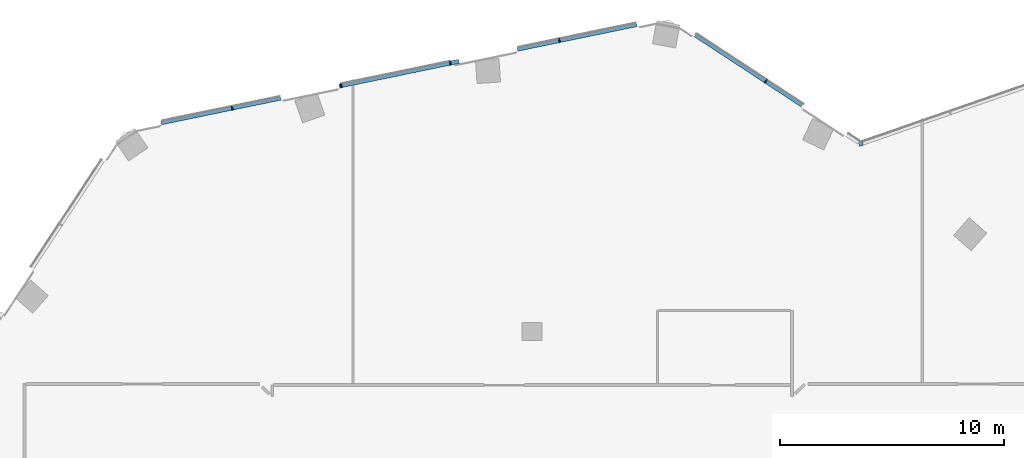
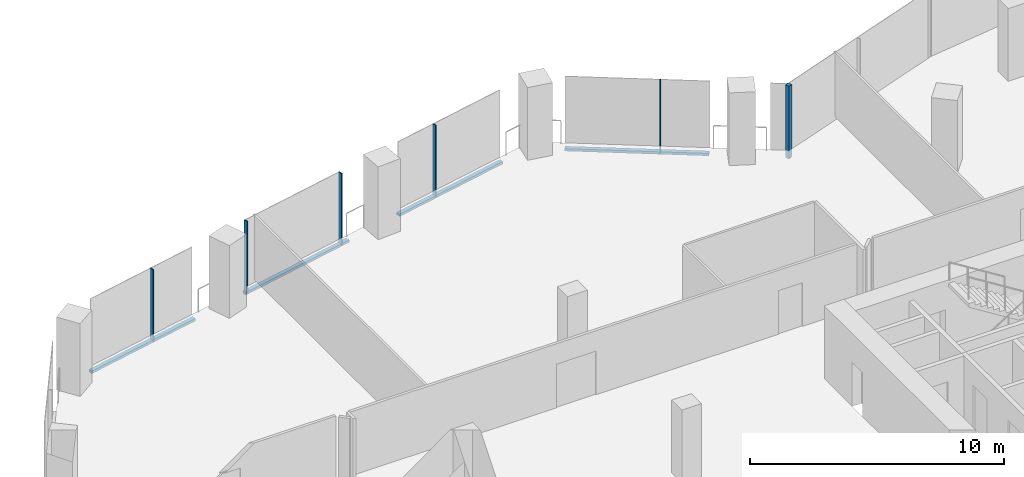
# One storey, part 9 of 26: 10 members, 3 elements without a shape of their own.
"""IFC4 building model written with IfcOpenShell, lengths in metres."""

from ifc_helpers import new_model, si_unit, direction, frame, origin, origin_2d, place, context, subcontext, project, spatial, rectangle, extrude, material, material_profile, profile_set, type_object, element, aggregate, save


model = new_model("IFC4")

# Units and contexts
model_context = context("Model", 3, precision=1e-05, world=origin(), true_north=direction((0.0, 1.0)))
body_context = subcontext(model_context, "Body", "Model", "MODEL_VIEW")
ifc_project = project(units=[si_unit("LENGTHUNIT", "METRE"), si_unit("AREAUNIT", "SQUARE_METRE"), si_unit("VOLUMEUNIT", "CUBIC_METRE"), si_unit("PLANEANGLEUNIT", "RADIAN"), si_unit("MASSUNIT", "GRAM", prefix="KILO")], contexts=[model_context])

# Site, building, storey
site_placement = place(None, origin())
site = spatial("IfcSite", under=ifc_project, at=site_placement, CompositionType="ELEMENT")
building_placement = place(site_placement, origin())
building = spatial("IfcBuilding", under=site, at=building_placement, Name="Orlundy Tower", CompositionType="ELEMENT")
storey_placement = place(building_placement, frame((0.0, 0.0, 232.0)))
storey = spatial("IfcBuildingStorey", under=building, at=storey_placement, Name="L61", CompositionType="ELEMENT", Elevation=232.0)

# Curtain wall, member
ifc_material_1 = material(Name="Aluminium bronze anodised", Category="aluminium")
curtain_wall_type = type_object("IfcCurtainWallType", Name="CW1 wall", PredefinedType="NOTDEFINED", material=ifc_material_1)
curtain_wall_1_placement = place(storey_placement, origin())
curtain_wall_1 = element("IfcCurtainWall", 1, at=curtain_wall_1_placement, inside=storey, type_object=curtain_wall_type, Name="CW1 run 018", PredefinedType="NOTDEFINED")
ifc_material_2 = material(Name="Aluminium bronze anodised", Category="aluminium")
ifc_material_profile_1 = material_profile(ifc_material_2, rectangle(XDim=0.179931640625, YDim=0.179931640625, at=origin_2d()), Name="CW1 corner post 180x180")
ifc_profile_set_1 = profile_set([ifc_material_profile_1], Name="Aluminium bronze anodised")
member_type_1 = type_object("IfcMemberType", Name="CW1 corner post 180x180", PredefinedType="MULLION", material=ifc_profile_set_1)
member_1_placement = place(storey_placement, frame((14.66845703125, 26.36767578125, -0.39990234375), z_axis=(0.0, 0.0, 1.0), x_axis=(-0.328297862498, 0.94457424985, 0.0)))
member_1 = element("IfcMember", 2, at=member_1_placement, type_object=member_type_1, Name="CW1 mullion 39", PredefinedType="MULLION", context=body_context, shape_type="SweptSolid", body=[
    extrude(rectangle(XDim=0.179931640625, YDim=0.179931640625, at=origin_2d()), origin(), (0.0, 0.0, 1.0), 3.5),
])
aggregate(curtain_wall_1, [member_1])

# Curtain wall, members
curtain_wall_2_placement = place(storey_placement, origin())
curtain_wall_2 = element("IfcCurtainWall", 3, at=curtain_wall_2_placement, inside=storey, type_object=curtain_wall_type, Name="CW1 run 016", PredefinedType="NOTDEFINED")
ifc_material_3 = material(Name="Aluminium bronze anodised", Category="aluminium")
ifc_material_profile_2 = material_profile(ifc_material_3, rectangle(XDim=0.179931640625, YDim=0.050048828125, at=origin_2d()), Name="CW1 mullion 50x180")
ifc_profile_set_2 = profile_set([ifc_material_profile_2], Name="Aluminium bronze anodised")
member_type_2 = type_object("IfcMemberType", Name="CW1 mullion 50x180", PredefinedType="MULLION", material=ifc_profile_set_2)
member_2_placement = place(storey_placement, frame((-13.386474609375, 27.96044921875, -0.39990234375), z_axis=(0.0, 0.0, 1.0), x_axis=(-0.202233038095, 0.979337428215, 0.0)))
member_2 = element("IfcMember", 4, at=member_2_placement, type_object=member_type_2, Name="CW1 mullion 33", PredefinedType="MULLION", context=body_context, shape_type="SweptSolid", body=[
    extrude(rectangle(XDim=0.179931640625, YDim=0.050048828125, at=origin_2d()), origin(), (0.0, 0.0, 1.0), 3.5),
])
member_3_placement = place(storey_placement, frame((-8.5185546875, 28.965576171875, -0.39990234375), z_axis=(0.0, 0.0, 1.0), x_axis=(-0.202233038095, 0.979337428215, 0.0)))
member_3 = element("IfcMember", 5, at=member_3_placement, type_object=member_type_2, Name="CW1 mullion 34", PredefinedType="MULLION", context=body_context, shape_type="SweptSolid", body=[
    extrude(rectangle(XDim=0.179931640625, YDim=0.050048828125, at=origin_2d()), origin(), (0.0, 0.0, 1.0), 3.5),
])
member_4_placement = place(storey_placement, frame((-3.65087890625, 29.970703125, -0.39990234375), z_axis=(0.0, 0.0, 1.0), x_axis=(-0.202233038095, 0.979337428215, 0.0)))
member_4 = element("IfcMember", 6, at=member_4_placement, type_object=member_type_2, Name="CW1 mullion 35", PredefinedType="MULLION", context=body_context, shape_type="SweptSolid", body=[
    extrude(rectangle(XDim=0.179931640625, YDim=0.050048828125, at=origin_2d()), origin(), (0.0, 0.0, 1.0), 3.5),
])
member_5_placement = place(storey_placement, frame((1.217041015625, 30.975830078125, -0.39990234375), z_axis=(0.0, 0.0, 1.0), x_axis=(-0.202233038095, 0.979337428215, 0.0)))
member_5 = element("IfcMember", 7, at=member_5_placement, type_object=member_type_2, Name="CW1 mullion 36", PredefinedType="MULLION", context=body_context, shape_type="SweptSolid", body=[
    extrude(rectangle(XDim=0.179931640625, YDim=0.050048828125, at=origin_2d()), origin(), (0.0, 0.0, 1.0), 3.5),
])

# Curtain wall, member
curtain_wall_3_placement = place(storey_placement, origin())
curtain_wall_3 = element("IfcCurtainWall", 8, at=curtain_wall_3_placement, inside=storey, type_object=curtain_wall_type, Name="CW1 run 017", PredefinedType="NOTDEFINED")
member_6_placement = place(storey_placement, frame((10.428955078125, 29.15576171875, -0.39990234375), z_axis=(0.0, 0.0, 1.0), x_axis=(0.549481934574, 0.835505597573, 0.0)))
member_6 = element("IfcMember", 9, at=member_6_placement, type_object=member_type_2, Name="CW1 mullion 38", PredefinedType="MULLION", context=body_context, shape_type="SweptSolid", body=[
    extrude(rectangle(XDim=0.179931640625, YDim=0.050048828125, at=origin_2d()), origin(), (0.0, 0.0, 1.0), 3.5),
])

# Member
ifc_material_4 = material(Name="Aluminium bronze anodised", Category="aluminium")
ifc_material_profile_3 = material_profile(ifc_material_4, rectangle(XDim=0.179931640625, YDim=0.1201171875, at=origin_2d()), Name="CW1 transom 180x120")
ifc_profile_set_3 = profile_set([ifc_material_profile_3], Name="Aluminium bronze anodised")
member_type_3 = type_object("IfcMemberType", Name="CW1 transom 180x120", PredefinedType="USERDEFINED", material=ifc_profile_set_3)
member_7_placement = place(storey_placement, frame((-16.5634765625, 27.30419921875, -0.340087890625), z_axis=(0.979331643091, 0.202261051219, 0.0), x_axis=(-0.202261051219, 0.979331643091, 0.0)))
member_7 = element("IfcMember", 10, at=member_7_placement, type_object=member_type_3, Name="CW1 transom", ObjectType="TRANSOM", PredefinedType="USERDEFINED", context=body_context, shape_type="SweptSolid", body=[
    extrude(rectangle(XDim=0.179931640625, YDim=0.1201171875, at=origin_2d()), origin(), (0.0, 0.0, 1.0), 5.45947265625),
])

member_8_placement = place(storey_placement, frame((-8.61376953125, 28.94580078125, -0.340087890625), z_axis=(0.979331932219, 0.202259651283, 0.0), x_axis=(-0.202259651283, 0.979331932219, 0.0)))
member_8 = element("IfcMember", 11, at=member_8_placement, type_object=member_type_3, Name="CW1 transom", ObjectType="TRANSOM", PredefinedType="USERDEFINED", context=body_context, shape_type="SweptSolid", body=[
    extrude(rectangle(XDim=0.179931640625, YDim=0.1201171875, at=origin_2d()), origin(), (0.0, 0.0, 1.0), 5.460693359375),
])

member_9_placement = place(storey_placement, frame((-0.662353515625, 30.587890625, -0.340087890625), z_axis=(0.979339743144, 0.202221827453, 0.0), x_axis=(-0.202221827453, 0.979339743144, 0.0)))
member_9 = element("IfcMember", 12, at=member_9_placement, type_object=member_type_3, Name="CW1 transom", ObjectType="TRANSOM", PredefinedType="USERDEFINED", context=body_context, shape_type="SweptSolid", body=[
    extrude(rectangle(XDim=0.179931640625, YDim=0.1201171875, at=origin_2d()), origin(), (0.0, 0.0, 1.0), 5.448486328125),
])

aggregate(curtain_wall_2, [member_2, member_3, member_4, member_5, member_7, member_8, member_9])

member_10_placement = place(storey_placement, frame((7.28857421875, 31.220947265625, -0.340087890625), z_axis=(0.835520602502, -0.549459118402, 0.0), x_axis=(0.549459118402, 0.835520602502, 0.0)))
member_10 = element("IfcMember", 13, at=member_10_placement, type_object=member_type_3, Name="CW1 transom", ObjectType="TRANSOM", PredefinedType="USERDEFINED", context=body_context, shape_type="SweptSolid", body=[
    extrude(rectangle(XDim=0.179931640625, YDim=0.1201171875, at=origin_2d()), origin(), (0.0, 0.0, 1.0), 5.698486328125),
])

aggregate(curtain_wall_3, [member_6, member_10])

save(model, "model.ifc")
